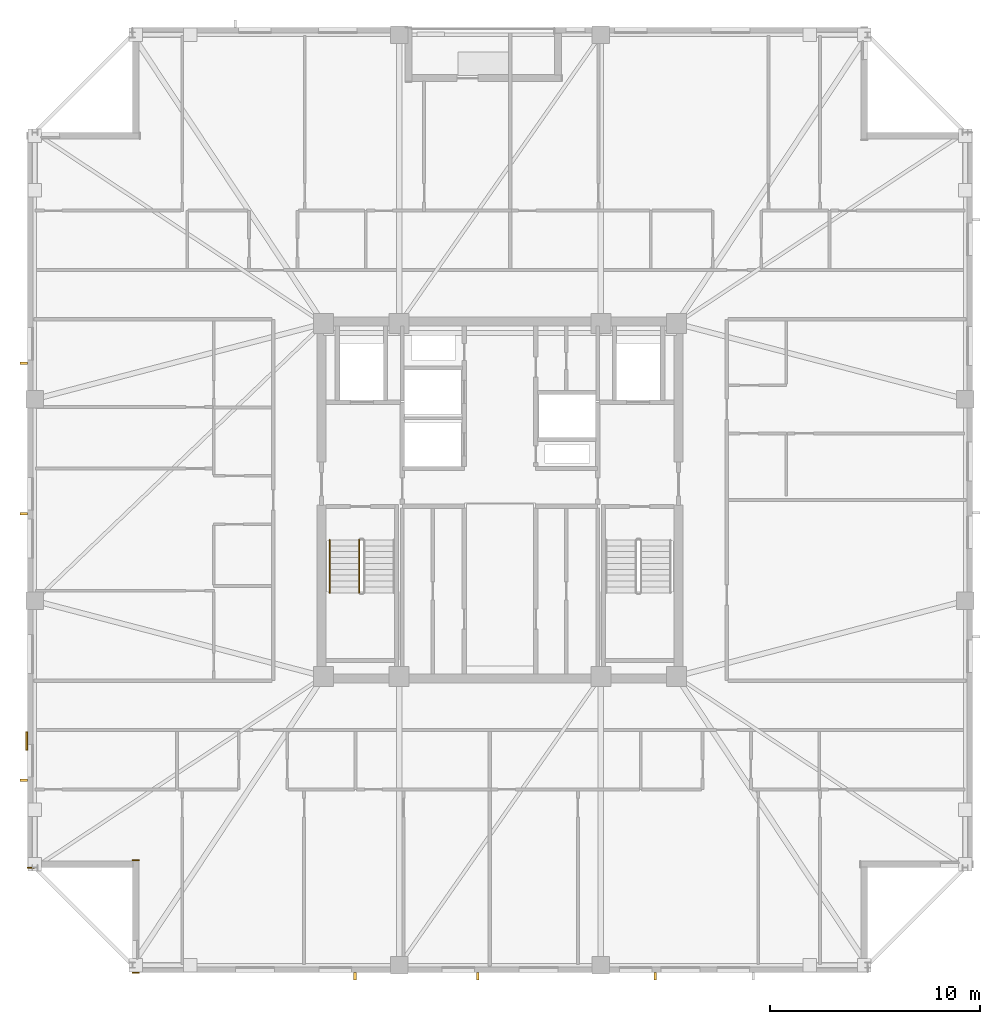
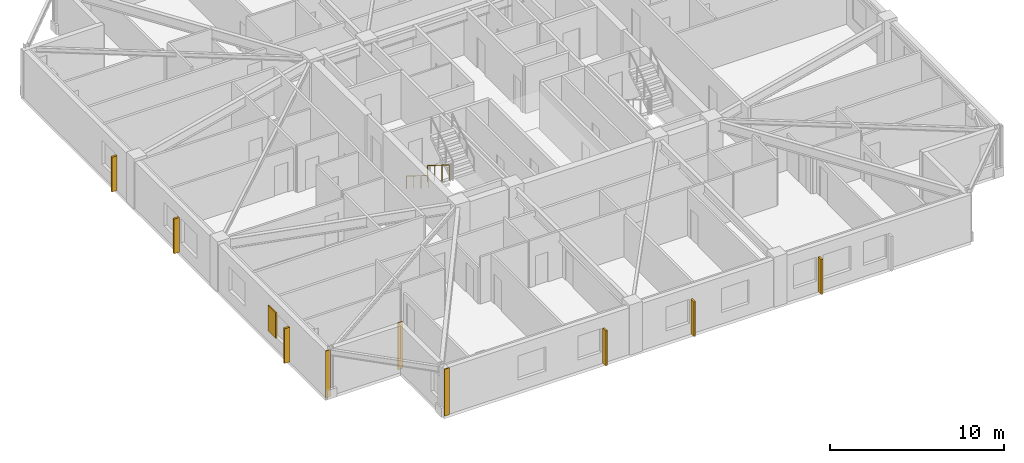
# One storey, part 13 of 17: 7 shading devices, 3 coverings, 2 railings.
"""IFC4 building model written with IfcOpenShell, lengths in metres."""

import ifcopenshell
import ifcopenshell.guid

model = None  # the IFC model being written
_history = None  # IfcOwnerHistory: only IFC2X3 demands one
_inside = {}  # id of a spatial element -> (the spatial element, [elements in it])
_under = {}  # id of a project, library or spatial element -> (it, [spatial elements below it])
_declared = {}  # id of a project -> (the project, [libraries it declares])
_typed = {}  # id of a type object -> (the type object, [elements of that type])
_made_of = {}  # id of a material, layer set ... -> (it, [elements and type objects made of it])


def new_model(schema):
    """Start an empty IFC model of exactly this schema.

    Asked for "IFC4X3", IfcOpenShell would pick the latest addendum, in which some entities
    have other attributes; the version numbers below select the first issue.
    IFC2X3 requires an IfcOwnerHistory on every rooted entity: one is made here for all.
    """
    global model, _history
    if schema == "IFC4X3":
        model = ifcopenshell.file(schema_version=(4, 3, 0, 0))
    else:
        model = ifcopenshell.file(schema=schema)
    _inside.clear()
    _under.clear()
    _declared.clear()
    _typed.clear()
    _made_of.clear()
    _history = None
    if model.schema == "IFC2X3":
        org = make("IfcOrganization", Name="unknown")
        user = make(
            "IfcPersonAndOrganization",
            ThePerson=make("IfcPerson", FamilyName="unknown"),
            TheOrganization=org,
        )
        app = make(
            "IfcApplication",
            ApplicationDeveloper=org,
            Version="unknown",
            ApplicationFullName="unknown",
            ApplicationIdentifier="unknown",
        )
        _history = make(
            "IfcOwnerHistory",
            OwningUser=user,
            OwningApplication=app,
            ChangeAction="ADDED",
            CreationDate=0,
        )
    return model


def make(cls, **values):
    """One entity of the class cls with the attributes given. An attribute that is None is left unset."""
    return model.create_entity(
        cls, **{name: value for name, value in values.items() if value is not None}
    )


def rooted(cls, **values):
    """An entity with a GlobalId (a new one), such as an element, a storey or a relation."""
    return make(cls, GlobalId=ifcopenshell.guid.new(), OwnerHistory=_history, **values)


def si_unit(unit_type, name, prefix=None):
    """IfcSIUnit, for example si_unit("LENGTHUNIT", "METRE", prefix="MILLI")."""
    return make("IfcSIUnit", UnitType=unit_type, Prefix=prefix, Name=name)


def assignment(units):
    """IfcUnitAssignment: the units of a project."""
    return None if units is None else make("IfcUnitAssignment", Units=units)


def point(xyz):
    """IfcCartesianPoint."""
    return None if xyz is None else make("IfcCartesianPoint", Coordinates=xyz)


def direction(xyz):
    """IfcDirection."""
    return None if xyz is None else make("IfcDirection", DirectionRatios=xyz)


def frame(location, z_axis=None, x_axis=None):
    """IfcAxis2Placement3D, a coordinate frame: its origin and axes. An axis left out is left unset."""
    return make(
        "IfcAxis2Placement3D",
        Location=point(location),
        Axis=direction(z_axis),
        RefDirection=direction(x_axis),
    )


def frame_2d(location, x_axis=None):
    """IfcAxis2Placement2D, a coordinate frame in the plane: its origin and x axis."""
    return make(
        "IfcAxis2Placement2D", Location=point(location), RefDirection=direction(x_axis)
    )


def origin():
    """The frame at (0, 0, 0) with its axes left unset."""
    return frame((0.0, 0.0, 0.0))


def origin_2d():
    """The frame at (0, 0) in the plane with its x axis left unset."""
    return frame_2d((0.0, 0.0))


def place(relative_to, where):
    """IfcLocalPlacement: puts the frame where relative to a parent placement (None: the world)."""
    return make(
        "IfcLocalPlacement", PlacementRelTo=relative_to, RelativePlacement=where
    )


def context(
    kind, dimensions, precision=None, world=None, true_north=None, identifier=None
):
    """IfcGeometricRepresentationContext, for example the 3D "Model" context."""
    return make(
        "IfcGeometricRepresentationContext",
        ContextIdentifier=identifier,
        ContextType=kind,
        CoordinateSpaceDimension=dimensions,
        Precision=precision,
        WorldCoordinateSystem=world,
        TrueNorth=true_north,
    )


def subcontext(parent, identifier, kind, view, scale=None):
    """IfcGeometricRepresentationSubContext, for example "Body" below "Model"."""
    return make(
        "IfcGeometricRepresentationSubContext",
        ContextIdentifier=identifier,
        ContextType=kind,
        ParentContext=parent,
        TargetScale=scale,
        TargetView=view,
    )


def project(units=None, contexts=None):
    """IfcProject with its units and contexts."""
    return rooted(
        "IfcProject",
        Name="project",
        RepresentationContexts=contexts,
        UnitsInContext=assignment(units),
    )


def spatial(cls, under=None, at=None, **own):
    """A site, building, storey or space (cls), placed at a placement, below another one or the project."""
    s = rooted(cls, ObjectPlacement=at, **own)
    if under is not None:
        _under.setdefault(under.id(), (under, []))[1].append(s)
    return s


def profile(cls, at=None, kind="AREA", **sizes):
    """A parametric profile (cls). Its sizes go by their IFC names, for example OverallWidth=200.0."""
    return make(cls, ProfileType=kind, Position=at, **sizes)


def rectangle(**sizes):
    """IfcRectangleProfileDef."""
    return profile("IfcRectangleProfileDef", **sizes)


def circle(**sizes):
    """IfcCircleProfileDef."""
    return profile("IfcCircleProfileDef", **sizes)


def extrude(swept, where, along, depth):
    """IfcExtrudedAreaSolid: the profile swept, set in the frame where, extruded along a direction by depth."""
    return make(
        "IfcExtrudedAreaSolid",
        SweptArea=swept,
        Position=where,
        ExtrudedDirection=direction(along),
        Depth=depth,
    )


def shape(context_of_items, identifier, shape_type, items):
    """IfcShapeRepresentation: the items that make up one representation, for example the "Body"."""
    return make(
        "IfcShapeRepresentation",
        ContextOfItems=context_of_items,
        RepresentationIdentifier=identifier,
        RepresentationType=shape_type,
        Items=items,
    )


def material(Name=None, Category=None):
    """IfcMaterial."""
    return make("IfcMaterial", Name=Name, Category=Category)


def layer(
    of_material, thickness, ventilated=None, Name=None, Category=None, Priority=None
):
    """IfcMaterialLayer: one layer of a wall or slab, of a material (None: an air gap)."""
    return make(
        "IfcMaterialLayer",
        Material=of_material,
        LayerThickness=thickness,
        IsVentilated=ventilated,
        Name=Name,
        Category=Category,
        Priority=Priority,
    )


def layer_set(layers, Name=None):
    """IfcMaterialLayerSet."""
    return make("IfcMaterialLayerSet", MaterialLayers=layers, LayerSetName=Name)


def made_of(thing, what):
    """Note that an element or type object is made of a material, layer set ...; save() writes the relation."""
    if what is not None:
        _made_of.setdefault(what.id(), (what, []))[1].append(thing)
    return thing


def type_object(cls, material=None, **own):
    """A type object (cls), such as IfcWallType, which elements share."""
    return made_of(rooted(cls, **own), material)


def element(
    cls,
    number,
    at=None,
    inside=None,
    cuts=None,
    type_object=None,
    material=None,
    context=None,
    identifier="Body",
    shape_type=None,
    held_by="IfcProductDefinitionShape",
    body=None,
    shapes=None,
    **own,
):
    """One element of the class cls, such as IfcWall. Its Tag is "e" and its number.

    at: its placement. inside: the storey or other place that contains it. cuts: it is an
    opening in that element (IfcRelVoidsElement). A single representation is given by context,
    identifier, shape_type and body (its items); several are given by shapes. held_by: the class
    of the entity that holds the representations. save() writes the other relations.
    """
    e = rooted(cls, Tag="e%d" % number, ObjectPlacement=at, **own)
    if body is not None:
        shapes = [shape(context, identifier, shape_type, body)]
    if shapes is not None:
        e.Representation = make(held_by, Representations=shapes)
    if inside is not None:
        _inside.setdefault(inside.id(), (inside, []))[1].append(e)
    if cuts is not None:
        rooted(
            "IfcRelVoidsElement", RelatingBuildingElement=cuts, RelatedOpeningElement=e
        )
    if type_object is not None:
        _typed.setdefault(type_object.id(), (type_object, []))[1].append(e)
    return made_of(e, material)


def aggregate(whole, parts):
    """IfcRelAggregates: a whole, such as a stair, and the parts it consists of."""
    return rooted("IfcRelAggregates", RelatingObject=whole, RelatedObjects=parts)


def save(model, path):
    """Write the relations noted so far, then the file.

    IfcRelAggregates (storeys below a building ...), IfcRelContainedInSpatialStructure (elements
    in a storey), IfcRelDefinesByType, IfcRelAssociatesMaterial and IfcRelDeclares: one each for
    every whole, place, type object, material and project.
    """
    for whole, parts in _under.values():
        aggregate(whole, parts)
    for where, things in _inside.values():
        rooted(
            "IfcRelContainedInSpatialStructure",
            RelatedElements=things,
            RelatingStructure=where,
        )
    for kind, things in _typed.values():
        rooted("IfcRelDefinesByType", RelatedObjects=things, RelatingType=kind)
    for what, things in _made_of.values():
        rooted("IfcRelAssociatesMaterial", RelatedObjects=things, RelatingMaterial=what)
    for by, libraries in _declared.values():
        rooted("IfcRelDeclares", RelatingContext=by, RelatedDefinitions=libraries)
    model.write(path)


model = new_model("IFC4")

# Units and contexts
model_context = context("Model", 3, precision=1e-05, world=origin(), true_north=direction((0.0, 1.0)))
body_context = subcontext(model_context, "Body", "Model", "MODEL_VIEW")
ifc_project = project(units=[si_unit("LENGTHUNIT", "METRE"), si_unit("AREAUNIT", "SQUARE_METRE"), si_unit("VOLUMEUNIT", "CUBIC_METRE"), si_unit("PLANEANGLEUNIT", "RADIAN"), si_unit("MASSUNIT", "GRAM", prefix="KILO")], contexts=[model_context])

# Site, building, storey
site_placement = place(None, origin())
site = spatial("IfcSite", under=ifc_project, at=site_placement, CompositionType="ELEMENT")
building_placement = place(site_placement, origin())
building = spatial("IfcBuilding", under=site, at=building_placement, Name="Cairnveth Concourse Tower", CompositionType="ELEMENT")
storey_placement = place(building_placement, frame((0.0, 0.0, 206.0)))
storey = spatial("IfcBuildingStorey", under=building, at=storey_placement, Name="L56", CompositionType="ELEMENT", Elevation=206.0)

# Coverings
ifc_material_1 = material(Name="Dressed Melbourne Bluestone Cladding", Category="masonry")
ifc_layer = layer(ifc_material_1, 0.050048828125)
ifc_layer_set = layer_set([ifc_layer], Name="Dressed Melbourne Bluestone Cladding")
covering_type = type_object("IfcCoveringType", Name="DRESSED BLUESTONE PLINTH CLADDING 50", PredefinedType="CLADDING", material=ifc_layer_set)
for number, where, z_axis, x_axis, name in (
    (1, (34.820068359375, 16.47998046875, 0.0), (0.0, 0.0, 1.0), (-1.0, 0.0, 0.0), "Melbourne Bluestone Corner Quoin L56-838"),
    (2, (34.820068359375, 21.840087890625, 0.0), (0.0, 0.0, 1.0), (-1.0, 0.0, 0.0), "Melbourne Bluestone Corner Quoin L56-839"),
    (3, (29.820068359375, 21.47998046875, 0.0), (0.0, 0.0, 1.0), (-1.0, 0.0, 0.0), "Melbourne Bluestone Corner Quoin L56-840"),
):
    element("IfcCovering", number, at=place(storey_placement, frame(where, z_axis=z_axis, x_axis=x_axis)), inside=storey, type_object=covering_type, Name=name, PredefinedType="CLADDING", context=body_context, shape_type="SweptSolid", body=[
        extrude(rectangle(XDim=0.320068359375, YDim=0.050048828125, at=frame_2d((0.16015625, 0.0))), origin(), (0.0, 0.0, 1.0), 3.2900390625),
    ])

# Shading devices
ifc_material_2 = material(Name="Architectural Bronze Anodised Aluminium 6063-T6", Category="aluminium")
shading_device_type_1 = type_object("IfcShadingDeviceType", Name="GOTHIC BRONZE VERTICAL LANCET FIN", PredefinedType="USERDEFINED", material=ifc_material_2)
for number, where, z_axis, x_axis, name in (
    (4, (59.39697265625, 16.324951171875, 0.030029296875), (0.0, 0.0, 1.0), (1.0, 0.0, 0.0), "Gothic Bronze Vertical Fin L56-6-3"),
    (5, (50.9462890625, 16.324951171875, 0.030029296875), (0.0, 0.0, 1.0), (1.0, 0.0, 0.0), "Gothic Bronze Vertical Fin L56-6-5"),
    (6, (45.095947265625, 16.324951171875, 0.030029296875), (0.0, 0.0, 1.0), (1.0, 0.0, 0.0), "Gothic Bronze Vertical Fin L56-6-7"),
    (7, (29.324951171875, 25.652587890625, 0.030029296875), (0.0, 0.0, 1.0), (0.0, 1.0, 0.0), "Gothic Bronze Vertical Fin L56-9-1"),
    (8, (29.324951171875, 38.353515625, 0.030029296875), (0.0, 0.0, 1.0), (0.0, 1.0, 0.0), "Gothic Bronze Vertical Fin L56-9-5"),
    (9, (29.324951171875, 45.504150390625, 0.030029296875), (0.0, 0.0, 1.0), (0.0, 1.0, 0.0), "Gothic Bronze Vertical Fin L56-9-7"),
):
    element("IfcShadingDevice", number, at=place(storey_placement, frame(where, z_axis=z_axis, x_axis=x_axis)), inside=storey, type_object=shading_device_type_1, Name=name, ObjectType="VERTICAL FIN", PredefinedType="USERDEFINED", context=body_context, shape_type="SweptSolid", body=[
        extrude(rectangle(XDim=0.1201171875, YDim=0.360107421875, at=origin_2d()), origin(), (0.0, 0.0, 1.0), 2.43798828125),
    ])

# Railings
ifc_material_3 = material(Name="Steel Grade 350", Category="steel")
railing_type_1 = type_object("IfcRailingType", Name="STAIR GUARDRAIL 1150", PredefinedType="GUARDRAIL", material=ifc_material_3)
railing_1_placement = place(storey_placement, frame((45.2900390625, 37.10009765625, 0.175048828125)))
element("IfcRailing", 10, at=railing_1_placement, inside=storey, type_object=railing_type_1, Name="L56 ST-1 stair guard 1", PredefinedType="GUARDRAIL", context=body_context, shape_type="SweptSolid", body=[
    extrude(circle(Radius=0.02392578125, at=origin_2d()), frame((0.0, 0.0, 1.1259765625), z_axis=(0.0, -0.848007534815, 0.529984170421), x_axis=(1.0, 0.0, 0.0)), (0.0, 0.0, 1.0), 2.9716796875),
    extrude(circle(Radius=0.02099609375, at=origin_2d()), origin(), (0.0, 0.0, 1.0), 1.101806640625),
    extrude(circle(Radius=0.02099609375, at=origin_2d()), frame((0.0, -0.840087890625, 0.52490234375)), (0.0, 0.0, 1.0), 1.101806640625),
    extrude(circle(Radius=0.02099609375, at=origin_2d()), frame((0.0, -1.679931640625, 1.050048828125)), (0.0, 0.0, 1.0), 1.101806640625),
    extrude(circle(Radius=0.02099609375, at=origin_2d()), frame((0.0, -2.52001953125, 1.574951171875)), (0.0, 0.0, 1.0), 1.101806640625),
])
railing_type_2 = type_object("IfcRailingType", Name="STAIR WALL HANDRAIL 900", PredefinedType="HANDRAIL", material=ifc_material_3)
railing_2_placement = place(storey_placement, frame((43.889892578125, 37.10009765625, 0.175048828125)))
element("IfcRailing", 11, at=railing_2_placement, inside=storey, type_object=railing_type_2, Name="L56 ST-1 stair handrail 1", PredefinedType="HANDRAIL", context=body_context, shape_type="SweptSolid", body=[
    extrude(circle(Radius=0.02392578125, at=origin_2d()), frame((0.0, 0.0, 0.8759765625), z_axis=(0.0, -0.848007534815, 0.529984170421), x_axis=(1.0, 0.0, 0.0)), (0.0, 0.0, 1.0), 2.9716796875),
    extrude(circle(Radius=0.02099609375, at=origin_2d()), origin(), (0.0, 0.0, 1.0), 0.851806640625),
    extrude(circle(Radius=0.02099609375, at=origin_2d()), frame((0.0, -0.840087890625, 0.52490234375)), (0.0, 0.0, 1.0), 0.851806640625),
    extrude(circle(Radius=0.02099609375, at=origin_2d()), frame((0.0, -1.679931640625, 1.050048828125)), (0.0, 0.0, 1.0), 0.851806640625),
    extrude(circle(Radius=0.02099609375, at=origin_2d()), frame((0.0, -2.52001953125, 1.574951171875)), (0.0, 0.0, 1.0), 0.851806640625),
])

# Shading device
shading_device_type_2 = type_object("IfcShadingDeviceType", Name="WEST SOLAR PERFORATED SHUTTER", PredefinedType="SHUTTER", material=ifc_material_2)
shading_device_placement = place(storey_placement, frame((29.464111328125, 27.522705078125, 0.7998046875), z_axis=(0.0, 0.0, 1.0), x_axis=(1.0, 0.0, 0.0)))
element("IfcShadingDevice", 12, at=shading_device_placement, inside=storey, type_object=shading_device_type_2, Name="West Solar Shutter L56", PredefinedType="SHUTTER", context=body_context, shape_type="SweptSolid", body=[
    extrude(rectangle(XDim=0.080078125, YDim=0.89990234375, at=origin_2d()), origin(), (0.0, 0.0, 1.0), 1.800048828125),
])

save(model, "model.ifc")
